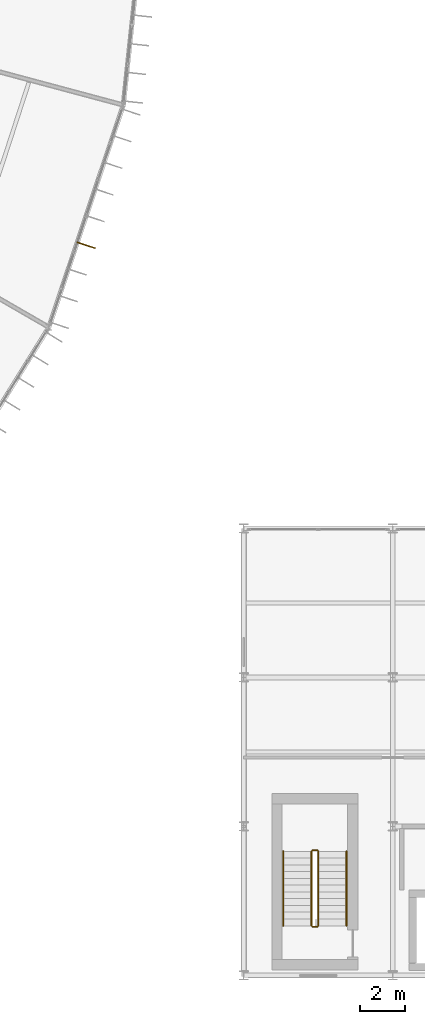
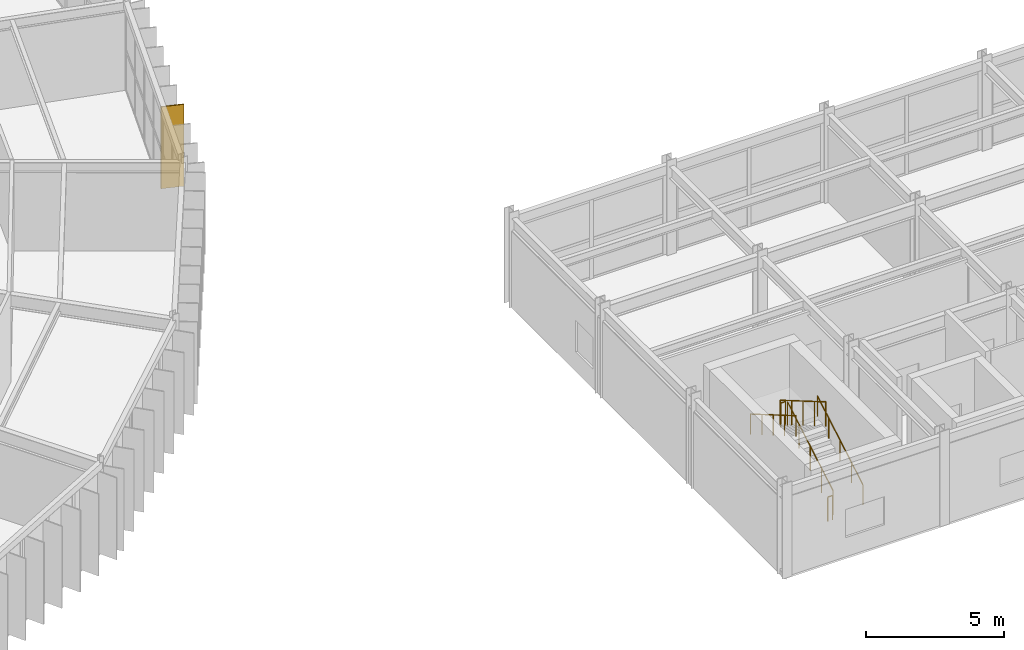
# One storey, part 151 of 157: 6 railings, 1 shading device.
"""IFC4 building model written with IfcOpenShell, lengths in metres."""

from ifc_helpers import new_model, si_unit, direction, frame, origin, origin_2d, place, context, subcontext, project, spatial, rectangle, circle, extrude, material, layer, layer_set, type_object, element, save


model = new_model("IFC4")

# Units and contexts
model_context = context("Model", 3, precision=1e-05, world=origin(), true_north=direction((0.0, 1.0)))
body_context = subcontext(model_context, "Body", "Model", "MODEL_VIEW")
ifc_project = project(units=[si_unit("LENGTHUNIT", "METRE"), si_unit("AREAUNIT", "SQUARE_METRE"), si_unit("VOLUMEUNIT", "CUBIC_METRE"), si_unit("PLANEANGLEUNIT", "RADIAN"), si_unit("MASSUNIT", "GRAM", prefix="KILO")], contexts=[model_context])

# Site, building, storey
site_placement = place(None, origin())
site = spatial("IfcSite", under=ifc_project, at=site_placement, CompositionType="ELEMENT")
building_placement = place(site_placement, origin())
building = spatial("IfcBuilding", under=site, at=building_placement, Name="Karori Crest Natural Sciences Institute", CompositionType="ELEMENT")
storey_placement = place(building_placement, frame((0.0, 0.0, 13.300048828125)))
storey = spatial("IfcBuildingStorey", under=building, at=storey_placement, Name="L03", CompositionType="ELEMENT", Elevation=13.300048828125)

# Railings
ifc_material_1 = material(Name="Stainless steel 316 tubular handrail", Category="steel")
railing_type_1 = type_object("IfcRailingType", Name="RLT-HND", PredefinedType="HANDRAIL", material=ifc_material_1)
railing_1_placement = place(storey_placement, frame((108.14990234375, 3.0, 0.175048828125)))
element("IfcRailing", 1, at=railing_1_placement, inside=storey, type_object=railing_type_1, Name="Stair handrail RL-0121", PredefinedType="HANDRAIL", context=body_context, shape_type="SweptSolid", body=[
    extrude(circle(Radius=0.02392578125, at=origin_2d()), frame((0.0, 0.0, 0.90087890625), z_axis=(0.0, 0.863804395585, 0.503827317807), x_axis=(-1.0, 0.0, 0.0)), (0.0, 0.0, 1.0), 3.8203125),
    extrude(circle(Radius=0.02099609375, at=origin_2d()), origin(), (0.0, 0.0, 1.0), 0.876953125),
    extrude(circle(Radius=0.02099609375, at=origin_2d()), frame((0.0, 0.824951171875, 0.481201171875)), (0.0, 0.0, 1.0), 0.876953125),
    extrude(circle(Radius=0.02099609375, at=origin_2d()), frame((0.0, 1.64990234375, 0.96240234375)), (0.0, 0.0, 1.0), 0.876953125),
    extrude(circle(Radius=0.02099609375, at=origin_2d()), frame((0.0, 2.47509765625, 1.443603515625)), (0.0, 0.0, 1.0), 0.876953125),
    extrude(circle(Radius=0.02099609375, at=origin_2d()), frame((0.0, 3.300048828125, 1.9248046875)), (0.0, 0.0, 1.0), 0.876953125),
])
railing_2_placement = place(storey_placement, frame((105.35009765625, 6.300048828125, 2.27490234375)))
element("IfcRailing", 2, at=railing_2_placement, inside=storey, type_object=railing_type_1, Name="Stair handrail RL-0122", PredefinedType="HANDRAIL", context=body_context, shape_type="SweptSolid", body=[
    extrude(circle(Radius=0.02392578125, at=origin_2d()), frame((0.0, 0.0, 0.90087890625), z_axis=(0.0, -0.863776583165, 0.503874998761), x_axis=(1.0, 0.0, 0.0)), (0.0, 0.0, 1.0), 3.820556640625),
    extrude(circle(Radius=0.02099609375, at=origin_2d()), origin(), (0.0, 0.0, 1.0), 0.876953125),
    extrude(circle(Radius=0.02099609375, at=origin_2d()), frame((0.0, -0.824951171875, 0.481201171875)), (0.0, 0.0, 1.0), 0.876953125),
    extrude(circle(Radius=0.02099609375, at=origin_2d()), frame((0.0, -1.64990234375, 0.96240234375)), (0.0, 0.0, 1.0), 0.876953125),
    extrude(circle(Radius=0.02099609375, at=origin_2d()), frame((0.0, -2.47509765625, 1.44384765625)), (0.0, 0.0, 1.0), 0.876953125),
    extrude(circle(Radius=0.02099609375, at=origin_2d()), frame((0.0, -3.300048828125, 1.925048828125)), (0.0, 0.0, 1.0), 0.876953125),
])
ifc_material_2 = material(Name="Stainless steel 316 stair guard", Category="steel")
railing_type_2 = type_object("IfcRailingType", Name="RLT-STG", PredefinedType="GUARDRAIL", material=ifc_material_2)
railing_3_placement = place(storey_placement, frame((106.89990234375, 3.0, 0.175048828125)))
element("IfcRailing", 3, at=railing_3_placement, inside=storey, type_object=railing_type_2, Name="Stair guard RL-0117", PredefinedType="GUARDRAIL", context=body_context, shape_type="SweptSolid", body=[
    extrude(circle(Radius=0.02392578125, at=origin_2d()), frame((0.0, 0.0, 1.076171875), z_axis=(0.0, 0.863804395585, 0.503827317807), x_axis=(-1.0, 0.0, 0.0)), (0.0, 0.0, 1.0), 3.8203125),
    extrude(circle(Radius=0.02099609375, at=origin_2d()), origin(), (0.0, 0.0, 1.0), 1.052001953125),
    extrude(circle(Radius=0.02099609375, at=origin_2d()), frame((0.0, 0.824951171875, 0.481201171875)), (0.0, 0.0, 1.0), 1.052001953125),
    extrude(circle(Radius=0.02099609375, at=origin_2d()), frame((0.0, 1.64990234375, 0.96240234375)), (0.0, 0.0, 1.0), 1.052001953125),
    extrude(circle(Radius=0.02099609375, at=origin_2d()), frame((0.0, 2.47509765625, 1.443603515625)), (0.0, 0.0, 1.0), 1.052001953125),
    extrude(circle(Radius=0.02099609375, at=origin_2d()), frame((0.0, 3.300048828125, 1.9248046875)), (0.0, 0.0, 1.0), 1.052001953125),
])
railing_4_placement = place(storey_placement, frame((106.85009765625, 6.35009765625, 2.099853515625)))
element("IfcRailing", 4, at=railing_4_placement, inside=storey, type_object=railing_type_2, Name="Stair guard RL-0118", PredefinedType="GUARDRAIL", context=body_context, shape_type="SweptSolid", body=[
    extrude(circle(Radius=0.02392578125, at=origin_2d()), frame((0.0, 0.0, 1.076171875), z_axis=(-1.0, 0.0, 0.0), x_axis=(0.0, -1.0, 0.0)), (0.0, 0.0, 1.0), 0.2001953125),
    extrude(circle(Radius=0.02099609375, at=origin_2d()), origin(), (0.0, 0.0, 1.0), 1.052001953125),
    extrude(circle(Radius=0.02099609375, at=origin_2d()), frame((-0.2001953125, 0.0, 0.0)), (0.0, 0.0, 1.0), 1.052001953125),
])
railing_5_placement = place(storey_placement, frame((106.60009765625, 6.300048828125, 2.27490234375)))
element("IfcRailing", 5, at=railing_5_placement, inside=storey, type_object=railing_type_2, Name="Stair guard RL-0119", PredefinedType="GUARDRAIL", context=body_context, shape_type="SweptSolid", body=[
    extrude(circle(Radius=0.02392578125, at=origin_2d()), frame((0.0, 0.0, 1.076171875), z_axis=(0.0, -0.863776583165, 0.503874998761), x_axis=(1.0, 0.0, 0.0)), (0.0, 0.0, 1.0), 3.820556640625),
    extrude(circle(Radius=0.02099609375, at=origin_2d()), origin(), (0.0, 0.0, 1.0), 1.052001953125),
    extrude(circle(Radius=0.02099609375, at=origin_2d()), frame((0.0, -0.824951171875, 0.481201171875)), (0.0, 0.0, 1.0), 1.052001953125),
    extrude(circle(Radius=0.02099609375, at=origin_2d()), frame((0.0, -1.64990234375, 0.96240234375)), (0.0, 0.0, 1.0), 1.052001953125),
    extrude(circle(Radius=0.02099609375, at=origin_2d()), frame((0.0, -2.47509765625, 1.44384765625)), (0.0, 0.0, 1.0), 1.052001953125),
    extrude(circle(Radius=0.02099609375, at=origin_2d()), frame((0.0, -3.300048828125, 1.925048828125)), (0.0, 0.0, 1.0), 1.052001953125),
])
railing_6_placement = place(storey_placement, frame((106.85009765625, 2.949951171875, 0.0)))
element("IfcRailing", 6, at=railing_6_placement, inside=storey, type_object=railing_type_2, Name="Stair guard RL-0120", PredefinedType="GUARDRAIL", context=body_context, shape_type="SweptSolid", body=[
    extrude(circle(Radius=0.02392578125, at=origin_2d()), frame((0.0, 0.0, 1.076171875), z_axis=(-1.0, 0.0, 0.0), x_axis=(0.0, -1.0, 0.0)), (0.0, 0.0, 1.0), 0.2001953125),
    extrude(circle(Radius=0.02099609375, at=origin_2d()), origin(), (0.0, 0.0, 1.0), 1.052001953125),
    extrude(circle(Radius=0.02099609375, at=origin_2d()), frame((-0.2001953125, 0.0, 0.0)), (0.0, 0.0, 1.0), 1.052001953125),
])

# Shading device
ifc_material_3 = material(Name="Anodised architectural aluminium 6063-T6", Category="aluminium")
ifc_layer = layer(ifc_material_3, 0.044921875, Name="Anodised architectural aluminium 6063-T6")
ifc_layer_set = layer_set([ifc_layer], Name="Anodised architectural aluminium 6063-T6")
shading_device_type = type_object("IfcShadingDeviceType", Name="SDT-FIN", PredefinedType="USERDEFINED", material=ifc_layer_set)
shading_device_placement = place(storey_placement, frame((96.628173828125, 33.132080078125, 0.0), z_axis=(0.0, 0.0, 1.0), x_axis=(0.948197867933, -0.317680347595, 0.0)))
element("IfcShadingDevice", 7, at=shading_device_placement, inside=storey, type_object=shading_device_type, Name="Vertical solar fin FN-0600", ObjectType="SOLAR_FIN", PredefinedType="USERDEFINED", context=body_context, shape_type="SweptSolid", body=[
    extrude(rectangle(XDim=0.85009765625, YDim=0.044921875, at=origin_2d()), origin(), (0.0, 0.0, 1.0), 3.625),
])

save(model, "model.ifc")
